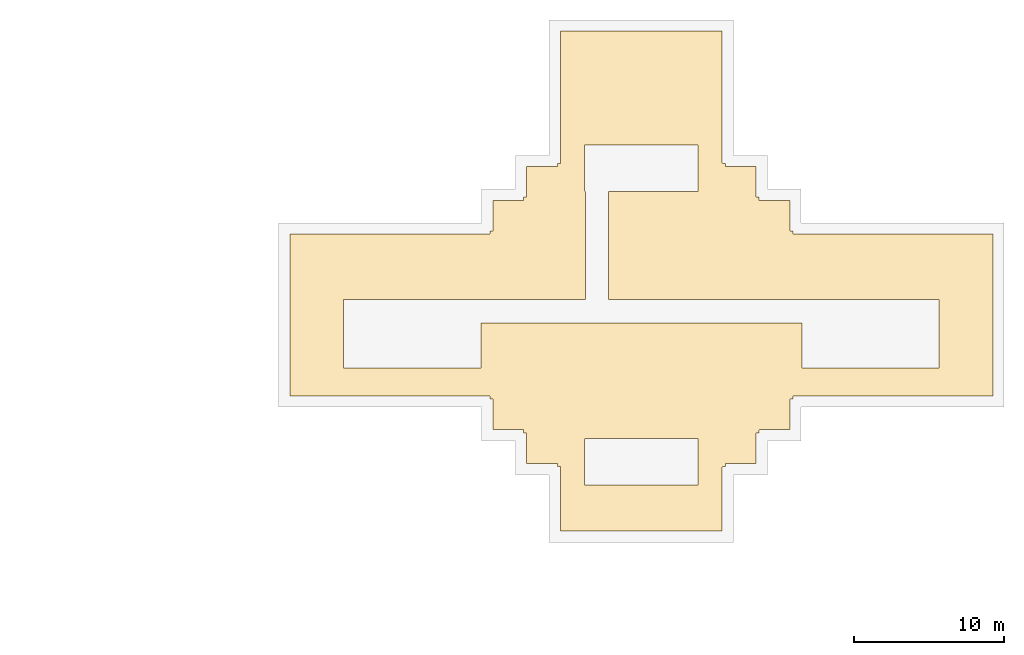
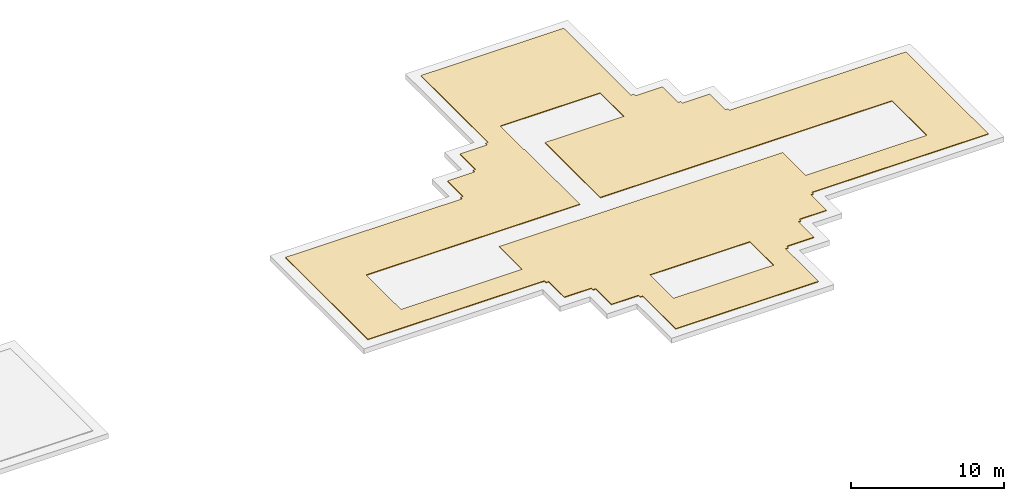
# One storey, part 3 of 3: 1 covering.
"""IFC4 building model written with IfcOpenShell, lengths in metres."""

import ifcopenshell
import ifcopenshell.guid

model = None  # the IFC model being written
_history = None  # IfcOwnerHistory: only IFC2X3 demands one
_inside = {}  # id of a spatial element -> (the spatial element, [elements in it])
_under = {}  # id of a project, library or spatial element -> (it, [spatial elements below it])
_declared = {}  # id of a project -> (the project, [libraries it declares])
_typed = {}  # id of a type object -> (the type object, [elements of that type])
_made_of = {}  # id of a material, layer set ... -> (it, [elements and type objects made of it])


def new_model(schema):
    """Start an empty IFC model of exactly this schema.

    Asked for "IFC4X3", IfcOpenShell would pick the latest addendum, in which some entities
    have other attributes; the version numbers below select the first issue.
    IFC2X3 requires an IfcOwnerHistory on every rooted entity: one is made here for all.
    """
    global model, _history
    if schema == "IFC4X3":
        model = ifcopenshell.file(schema_version=(4, 3, 0, 0))
    else:
        model = ifcopenshell.file(schema=schema)
    _inside.clear()
    _under.clear()
    _declared.clear()
    _typed.clear()
    _made_of.clear()
    _history = None
    if model.schema == "IFC2X3":
        org = make("IfcOrganization", Name="unknown")
        user = make(
            "IfcPersonAndOrganization",
            ThePerson=make("IfcPerson", FamilyName="unknown"),
            TheOrganization=org,
        )
        app = make(
            "IfcApplication",
            ApplicationDeveloper=org,
            Version="unknown",
            ApplicationFullName="unknown",
            ApplicationIdentifier="unknown",
        )
        _history = make(
            "IfcOwnerHistory",
            OwningUser=user,
            OwningApplication=app,
            ChangeAction="ADDED",
            CreationDate=0,
        )
    return model


def make(cls, **values):
    """One entity of the class cls with the attributes given. An attribute that is None is left unset."""
    return model.create_entity(
        cls, **{name: value for name, value in values.items() if value is not None}
    )


def rooted(cls, **values):
    """An entity with a GlobalId (a new one), such as an element, a storey or a relation."""
    return make(cls, GlobalId=ifcopenshell.guid.new(), OwnerHistory=_history, **values)


def si_unit(unit_type, name, prefix=None):
    """IfcSIUnit, for example si_unit("LENGTHUNIT", "METRE", prefix="MILLI")."""
    return make("IfcSIUnit", UnitType=unit_type, Prefix=prefix, Name=name)


def assignment(units):
    """IfcUnitAssignment: the units of a project."""
    return None if units is None else make("IfcUnitAssignment", Units=units)


def point(xyz):
    """IfcCartesianPoint."""
    return None if xyz is None else make("IfcCartesianPoint", Coordinates=xyz)


def direction(xyz):
    """IfcDirection."""
    return None if xyz is None else make("IfcDirection", DirectionRatios=xyz)


def frame(location, z_axis=None, x_axis=None):
    """IfcAxis2Placement3D, a coordinate frame: its origin and axes. An axis left out is left unset."""
    return make(
        "IfcAxis2Placement3D",
        Location=point(location),
        Axis=direction(z_axis),
        RefDirection=direction(x_axis),
    )


def origin():
    """The frame at (0, 0, 0) with its axes left unset."""
    return frame((0.0, 0.0, 0.0))


def place(relative_to, where):
    """IfcLocalPlacement: puts the frame where relative to a parent placement (None: the world)."""
    return make(
        "IfcLocalPlacement", PlacementRelTo=relative_to, RelativePlacement=where
    )


def context(
    kind, dimensions, precision=None, world=None, true_north=None, identifier=None
):
    """IfcGeometricRepresentationContext, for example the 3D "Model" context."""
    return make(
        "IfcGeometricRepresentationContext",
        ContextIdentifier=identifier,
        ContextType=kind,
        CoordinateSpaceDimension=dimensions,
        Precision=precision,
        WorldCoordinateSystem=world,
        TrueNorth=true_north,
    )


def subcontext(parent, identifier, kind, view, scale=None):
    """IfcGeometricRepresentationSubContext, for example "Body" below "Model"."""
    return make(
        "IfcGeometricRepresentationSubContext",
        ContextIdentifier=identifier,
        ContextType=kind,
        ParentContext=parent,
        TargetScale=scale,
        TargetView=view,
    )


def project(units=None, contexts=None):
    """IfcProject with its units and contexts."""
    return rooted(
        "IfcProject",
        Name="project",
        RepresentationContexts=contexts,
        UnitsInContext=assignment(units),
    )


def spatial(cls, under=None, at=None, **own):
    """A site, building, storey or space (cls), placed at a placement, below another one or the project."""
    s = rooted(cls, ObjectPlacement=at, **own)
    if under is not None:
        _under.setdefault(under.id(), (under, []))[1].append(s)
    return s


def polyline(points):
    """IfcPolyline through the points."""
    return make("IfcPolyline", Points=[point(p) for p in points])


def outline(outer, holes=None, kind="AREA"):
    """IfcArbitraryClosedProfileDef: a profile drawn as a closed curve; with holes, ...WithVoids."""
    if holes is None:
        return make("IfcArbitraryClosedProfileDef", ProfileType=kind, OuterCurve=outer)
    return make(
        "IfcArbitraryProfileDefWithVoids",
        ProfileType=kind,
        OuterCurve=outer,
        InnerCurves=holes,
    )


def extrude(swept, where, along, depth):
    """IfcExtrudedAreaSolid: the profile swept, set in the frame where, extruded along a direction by depth."""
    return make(
        "IfcExtrudedAreaSolid",
        SweptArea=swept,
        Position=where,
        ExtrudedDirection=direction(along),
        Depth=depth,
    )


def shape(context_of_items, identifier, shape_type, items):
    """IfcShapeRepresentation: the items that make up one representation, for example the "Body"."""
    return make(
        "IfcShapeRepresentation",
        ContextOfItems=context_of_items,
        RepresentationIdentifier=identifier,
        RepresentationType=shape_type,
        Items=items,
    )


def material(Name=None, Category=None):
    """IfcMaterial."""
    return make("IfcMaterial", Name=Name, Category=Category)


def layer(
    of_material, thickness, ventilated=None, Name=None, Category=None, Priority=None
):
    """IfcMaterialLayer: one layer of a wall or slab, of a material (None: an air gap)."""
    return make(
        "IfcMaterialLayer",
        Material=of_material,
        LayerThickness=thickness,
        IsVentilated=ventilated,
        Name=Name,
        Category=Category,
        Priority=Priority,
    )


def layer_set(layers, Name=None):
    """IfcMaterialLayerSet."""
    return make("IfcMaterialLayerSet", MaterialLayers=layers, LayerSetName=Name)


def made_of(thing, what):
    """Note that an element or type object is made of a material, layer set ...; save() writes the relation."""
    if what is not None:
        _made_of.setdefault(what.id(), (what, []))[1].append(thing)
    return thing


def type_object(cls, material=None, **own):
    """A type object (cls), such as IfcWallType, which elements share."""
    return made_of(rooted(cls, **own), material)


def element(
    cls,
    number,
    at=None,
    inside=None,
    cuts=None,
    type_object=None,
    material=None,
    context=None,
    identifier="Body",
    shape_type=None,
    held_by="IfcProductDefinitionShape",
    body=None,
    shapes=None,
    **own,
):
    """One element of the class cls, such as IfcWall. Its Tag is "e" and its number.

    at: its placement. inside: the storey or other place that contains it. cuts: it is an
    opening in that element (IfcRelVoidsElement). A single representation is given by context,
    identifier, shape_type and body (its items); several are given by shapes. held_by: the class
    of the entity that holds the representations. save() writes the other relations.
    """
    e = rooted(cls, Tag="e%d" % number, ObjectPlacement=at, **own)
    if body is not None:
        shapes = [shape(context, identifier, shape_type, body)]
    if shapes is not None:
        e.Representation = make(held_by, Representations=shapes)
    if inside is not None:
        _inside.setdefault(inside.id(), (inside, []))[1].append(e)
    if cuts is not None:
        rooted(
            "IfcRelVoidsElement", RelatingBuildingElement=cuts, RelatedOpeningElement=e
        )
    if type_object is not None:
        _typed.setdefault(type_object.id(), (type_object, []))[1].append(e)
    return made_of(e, material)


def aggregate(whole, parts):
    """IfcRelAggregates: a whole, such as a stair, and the parts it consists of."""
    return rooted("IfcRelAggregates", RelatingObject=whole, RelatedObjects=parts)


def save(model, path):
    """Write the relations noted so far, then the file.

    IfcRelAggregates (storeys below a building ...), IfcRelContainedInSpatialStructure (elements
    in a storey), IfcRelDefinesByType, IfcRelAssociatesMaterial and IfcRelDeclares: one each for
    every whole, place, type object, material and project.
    """
    for whole, parts in _under.values():
        aggregate(whole, parts)
    for where, things in _inside.values():
        rooted(
            "IfcRelContainedInSpatialStructure",
            RelatedElements=things,
            RelatingStructure=where,
        )
    for kind, things in _typed.values():
        rooted("IfcRelDefinesByType", RelatedObjects=things, RelatingType=kind)
    for what, things in _made_of.values():
        rooted("IfcRelAssociatesMaterial", RelatedObjects=things, RelatingMaterial=what)
    for by, libraries in _declared.values():
        rooted("IfcRelDeclares", RelatingContext=by, RelatedDefinitions=libraries)
    model.write(path)


model = new_model("IFC4")

# Units and contexts
model_context = context("Model", 3, precision=1e-05, world=origin(), true_north=direction((0.0, 1.0)))
body_context = subcontext(model_context, "Body", "Model", "MODEL_VIEW")
ifc_project = project(units=[si_unit("LENGTHUNIT", "METRE"), si_unit("AREAUNIT", "SQUARE_METRE"), si_unit("VOLUMEUNIT", "CUBIC_METRE"), si_unit("PLANEANGLEUNIT", "RADIAN"), si_unit("MASSUNIT", "GRAM", prefix="KILO")], contexts=[model_context])

# Site, building, storey
site_placement = place(None, origin())
site = spatial("IfcSite", under=ifc_project, at=site_placement, CompositionType="ELEMENT")
building_placement = place(site_placement, origin())
building = spatial("IfcBuilding", under=site, at=building_placement, Name="Shamsa Quay Exchange Towers", CompositionType="ELEMENT")
storey_placement = place(building_placement, frame((0.0, 0.0, 311.199951171875)))
storey = spatial("IfcBuildingStorey", under=building, at=storey_placement, Name="Roof Crown", CompositionType="ELEMENT", Elevation=311.199951171875)

# Covering
ifc_material = material(Name="Bituminous waterproofing membrane with ballast")
ifc_layer = layer(ifc_material, 0.06005859375)
ifc_layer_set = layer_set([ifc_layer], Name="ROOF MEMBRANE 60")
covering_type = type_object("IfcCoveringType", Name="ROOF MEMBRANE 60", PredefinedType="ROOFING", material=ifc_layer_set)
covering_placement = place(storey_placement, frame((0.0, 0.0, 0.400146484375)))
element("IfcCovering", 1, at=covering_placement, inside=storey, type_object=covering_type, Name="Roof membrane T2 1", PredefinedType="ROOFING", context=body_context, shape_type="SweptSolid", body=[
    extrude(outline(polyline([(41.584716796875, -7.6494140625), (41.58447265625, -7.6513671875), (41.58447265625, -7.83935546875), (41.4013671875, -7.83935546875), (41.3994140625, -7.839599609375), (41.3974609375, -7.83984375), (41.3955078125, -7.84033203125), (41.393798828125, -7.841064453125), (41.39208984375, -7.841796875), (41.390380859375, -7.8427734375), (41.388671875, -7.843994140625), (41.38720703125, -7.84521484375), (41.385986328125, -7.8466796875), (41.384765625, -7.848388671875), (41.3837890625, -7.85009765625), (41.3828125, -7.851806640625), (41.38232421875, -7.853759765625), (41.3818359375, -7.85546875), (41.381591796875, -7.857421875), (41.38134765625, -7.859375), (41.38134765625, -9.88134765625), (39.3544921875, -9.88134765625), (39.3525390625, -9.881591796875), (39.3505859375, -9.8818359375), (39.3486328125, -9.88232421875), (39.346923828125, -9.8828125), (39.34521484375, -9.8837890625), (39.343505859375, -9.884765625), (39.341796875, -9.885986328125), (39.34033203125, -9.88720703125), (39.339111328125, -9.888671875), (39.337890625, -9.890380859375), (39.3369140625, -9.89208984375), (39.336181640625, -9.893798828125), (39.33544921875, -9.8955078125), (39.3349609375, -9.8974609375), (39.334716796875, -9.8994140625), (39.33447265625, -9.9013671875), (39.33447265625, -10.08935546875), (39.1513671875, -10.08935546875), (39.1494140625, -10.089599609375), (39.1474609375, -10.08984375), (39.1455078125, -10.09033203125), (39.143798828125, -10.091064453125), (39.14208984375, -10.091796875), (39.140380859375, -10.0927734375), (39.138671875, -10.093994140625), (39.13720703125, -10.09521484375), (39.135986328125, -10.0966796875), (39.134765625, -10.098388671875), (39.1337890625, -10.10009765625), (39.1328125, -10.101806640625), (39.13232421875, -10.103759765625), (39.1318359375, -10.10546875), (39.131591796875, -10.107421875), (39.13134765625, -10.109375), (39.13134765625, -14.38134765625), (34.0205078125, -14.38134765625), (33.4794921875, -14.38134765625), (28.36865234375, -14.38134765625), (28.36865234375, -10.109375), (28.368408203125, -10.107421875), (28.3681640625, -10.10546875), (28.36767578125, -10.103759765625), (28.3671875, -10.101806640625), (28.3662109375, -10.10009765625), (28.365234375, -10.098388671875), (28.364013671875, -10.0966796875), (28.36279296875, -10.09521484375), (28.361328125, -10.093994140625), (28.359619140625, -10.0927734375), (28.35791015625, -10.091796875), (28.356201171875, -10.091064453125), (28.3544921875, -10.09033203125), (28.3525390625, -10.08984375), (28.3505859375, -10.089599609375), (28.3486328125, -10.08935546875), (28.16552734375, -10.08935546875), (28.16552734375, -9.9013671875), (28.165283203125, -9.8994140625), (28.1650390625, -9.8974609375), (28.16455078125, -9.8955078125), (28.163818359375, -9.893798828125), (28.1630859375, -9.89208984375), (28.162109375, -9.890380859375), (28.160888671875, -9.888671875), (28.15966796875, -9.88720703125), (28.158203125, -9.885986328125), (28.156494140625, -9.884765625), (28.15478515625, -9.8837890625), (28.153076171875, -9.8828125), (28.1513671875, -9.88232421875), (28.1494140625, -9.8818359375), (28.1474609375, -9.881591796875), (28.1455078125, -9.88134765625), (26.11865234375, -9.88134765625), (26.11865234375, -7.859375), (26.118408203125, -7.857421875), (26.1181640625, -7.85546875), (26.11767578125, -7.853759765625), (26.1171875, -7.851806640625), (26.1162109375, -7.85009765625), (26.115234375, -7.848388671875), (26.114013671875, -7.8466796875), (26.11279296875, -7.84521484375), (26.111328125, -7.843994140625), (26.109619140625, -7.8427734375), (26.10791015625, -7.841796875), (26.106201171875, -7.841064453125), (26.1044921875, -7.84033203125), (26.1025390625, -7.83984375), (26.1005859375, -7.839599609375), (26.0986328125, -7.83935546875), (25.91552734375, -7.83935546875), (25.91552734375, -7.6513671875), (25.915283203125, -7.6494140625), (25.9150390625, -7.6474609375), (25.91455078125, -7.6455078125), (25.913818359375, -7.643798828125), (25.9130859375, -7.64208984375), (25.912109375, -7.640380859375), (25.910888671875, -7.638671875), (25.90966796875, -7.63720703125), (25.908203125, -7.635986328125), (25.906494140625, -7.634765625), (25.90478515625, -7.6337890625), (25.903076171875, -7.6328125), (25.9013671875, -7.63232421875), (25.8994140625, -7.6318359375), (25.8974609375, -7.631591796875), (25.8955078125, -7.63134765625), (23.86865234375, -7.63134765625), (23.86865234375, -5.609375), (23.868408203125, -5.607421875), (23.8681640625, -5.60546875), (23.86767578125, -5.603759765625), (23.8671875, -5.601806640625), (23.8662109375, -5.60009765625), (23.865234375, -5.598388671875), (23.864013671875, -5.5966796875), (23.86279296875, -5.59521484375), (23.861328125, -5.593994140625), (23.859619140625, -5.5927734375), (23.85791015625, -5.591796875), (23.856201171875, -5.591064453125), (23.8544921875, -5.59033203125), (23.8525390625, -5.58984375), (23.8505859375, -5.589599609375), (23.8486328125, -5.58935546875), (23.66552734375, -5.58935546875), (23.66552734375, -5.4013671875), (23.665283203125, -5.3994140625), (23.6650390625, -5.3974609375), (23.66455078125, -5.3955078125), (23.663818359375, -5.393798828125), (23.6630859375, -5.39208984375), (23.662109375, -5.390380859375), (23.660888671875, -5.388671875), (23.65966796875, -5.38720703125), (23.658203125, -5.385986328125), (23.656494140625, -5.384765625), (23.65478515625, -5.3837890625), (23.653076171875, -5.3828125), (23.6513671875, -5.38232421875), (23.6494140625, -5.3818359375), (23.6474609375, -5.381591796875), (23.6455078125, -5.38134765625), (16.8955078125, -5.38134765625), (16.3544921875, -5.38134765625), (10.36865234375, -5.38134765625), (10.36865234375, -0.265625), (10.36865234375, 0.265625), (10.36865234375, 5.38134765625), (16.3544921875, 5.38134765625), (16.8955078125, 5.38134765625), (23.6455078125, 5.38134765625), (23.6474609375, 5.381591796875), (23.6494140625, 5.3818359375), (23.6513671875, 5.38232421875), (23.653076171875, 5.3828125), (23.65478515625, 5.3837890625), (23.656494140625, 5.384765625), (23.658203125, 5.385986328125), (23.65966796875, 5.38720703125), (23.660888671875, 5.388671875), (23.662109375, 5.390380859375), (23.6630859375, 5.39208984375), (23.663818359375, 5.393798828125), (23.66455078125, 5.3955078125), (23.6650390625, 5.3974609375), (23.665283203125, 5.3994140625), (23.66552734375, 5.4013671875), (23.66552734375, 5.58935546875), (23.8486328125, 5.58935546875), (23.8505859375, 5.589599609375), (23.8525390625, 5.58984375), (23.8544921875, 5.59033203125), (23.856201171875, 5.591064453125), (23.85791015625, 5.591796875), (23.859619140625, 5.5927734375), (23.861328125, 5.593994140625), (23.86279296875, 5.59521484375), (23.864013671875, 5.5966796875), (23.865234375, 5.598388671875), (23.8662109375, 5.60009765625), (23.8671875, 5.601806640625), (23.86767578125, 5.603759765625), (23.8681640625, 5.60546875), (23.868408203125, 5.607421875), (23.86865234375, 5.609375), (23.86865234375, 7.63134765625), (25.8955078125, 7.63134765625), (25.8974609375, 7.631591796875), (25.8994140625, 7.6318359375), (25.9013671875, 7.63232421875), (25.903076171875, 7.6328125), (25.90478515625, 7.6337890625), (25.906494140625, 7.634765625), (25.908203125, 7.635986328125), (25.90966796875, 7.63720703125), (25.910888671875, 7.638671875), (25.912109375, 7.640380859375), (25.9130859375, 7.64208984375), (25.913818359375, 7.643798828125), (25.91455078125, 7.6455078125), (25.9150390625, 7.6474609375), (25.915283203125, 7.6494140625), (25.91552734375, 7.6513671875), (25.91552734375, 7.83935546875), (26.0986328125, 7.83935546875), (26.1005859375, 7.839599609375), (26.1025390625, 7.83984375), (26.1044921875, 7.84033203125), (26.106201171875, 7.841064453125), (26.10791015625, 7.841796875), (26.109619140625, 7.8427734375), (26.111328125, 7.843994140625), (26.11279296875, 7.84521484375), (26.114013671875, 7.8466796875), (26.115234375, 7.848388671875), (26.1162109375, 7.85009765625), (26.1171875, 7.851806640625), (26.11767578125, 7.853759765625), (26.1181640625, 7.85546875), (26.118408203125, 7.857421875), (26.11865234375, 7.859375), (26.11865234375, 9.88134765625), (28.1455078125, 9.88134765625), (28.1474609375, 9.881591796875), (28.1494140625, 9.8818359375), (28.1513671875, 9.88232421875), (28.153076171875, 9.8828125), (28.15478515625, 9.8837890625), (28.156494140625, 9.884765625), (28.158203125, 9.885986328125), (28.15966796875, 9.88720703125), (28.160888671875, 9.888671875), (28.162109375, 9.890380859375), (28.1630859375, 9.89208984375), (28.163818359375, 9.893798828125), (28.16455078125, 9.8955078125), (28.1650390625, 9.8974609375), (28.165283203125, 9.8994140625), (28.16552734375, 9.9013671875), (28.16552734375, 10.08935546875), (28.3486328125, 10.08935546875), (28.3505859375, 10.089599609375), (28.3525390625, 10.08984375), (28.3544921875, 10.09033203125), (28.356201171875, 10.091064453125), (28.35791015625, 10.091796875), (28.359619140625, 10.0927734375), (28.361328125, 10.093994140625), (28.36279296875, 10.09521484375), (28.364013671875, 10.0966796875), (28.365234375, 10.098388671875), (28.3662109375, 10.10009765625), (28.3671875, 10.101806640625), (28.36767578125, 10.103759765625), (28.3681640625, 10.10546875), (28.368408203125, 10.107421875), (28.36865234375, 10.109375), (28.36865234375, 18.88134765625), (33.4794921875, 18.88134765625), (34.0205078125, 18.88134765625), (39.13134765625, 18.88134765625), (39.13134765625, 10.109375), (39.131591796875, 10.107421875), (39.1318359375, 10.10546875), (39.13232421875, 10.103759765625), (39.1328125, 10.101806640625), (39.1337890625, 10.10009765625), (39.134765625, 10.098388671875), (39.135986328125, 10.0966796875), (39.13720703125, 10.09521484375), (39.138671875, 10.093994140625), (39.140380859375, 10.0927734375), (39.14208984375, 10.091796875), (39.143798828125, 10.091064453125), (39.1455078125, 10.09033203125), (39.1474609375, 10.08984375), (39.1494140625, 10.089599609375), (39.1513671875, 10.08935546875), (39.33447265625, 10.08935546875), (39.33447265625, 9.9013671875), (39.334716796875, 9.8994140625), (39.3349609375, 9.8974609375), (39.33544921875, 9.8955078125), (39.336181640625, 9.893798828125), (39.3369140625, 9.89208984375), (39.337890625, 9.890380859375), (39.339111328125, 9.888671875), (39.34033203125, 9.88720703125), (39.341796875, 9.885986328125), (39.343505859375, 9.884765625), (39.34521484375, 9.8837890625), (39.346923828125, 9.8828125), (39.3486328125, 9.88232421875), (39.3505859375, 9.8818359375), (39.3525390625, 9.881591796875), (39.3544921875, 9.88134765625), (41.38134765625, 9.88134765625), (41.38134765625, 7.859375), (41.381591796875, 7.857421875), (41.3818359375, 7.85546875), (41.38232421875, 7.853759765625), (41.3828125, 7.851806640625), (41.3837890625, 7.85009765625), (41.384765625, 7.848388671875), (41.385986328125, 7.8466796875), (41.38720703125, 7.84521484375), (41.388671875, 7.843994140625), (41.390380859375, 7.8427734375), (41.39208984375, 7.841796875), (41.393798828125, 7.841064453125), (41.3955078125, 7.84033203125), (41.3974609375, 7.83984375), (41.3994140625, 7.839599609375), (41.4013671875, 7.83935546875), (41.58447265625, 7.83935546875), (41.58447265625, 7.6513671875), (41.584716796875, 7.6494140625), (41.5849609375, 7.6474609375), (41.58544921875, 7.6455078125), (41.586181640625, 7.643798828125), (41.5869140625, 7.64208984375), (41.587890625, 7.640380859375), (41.589111328125, 7.638671875), (41.59033203125, 7.63720703125), (41.591796875, 7.635986328125), (41.593505859375, 7.634765625), (41.59521484375, 7.6337890625), (41.596923828125, 7.6328125), (41.5986328125, 7.63232421875), (41.6005859375, 7.6318359375), (41.6025390625, 7.631591796875), (41.6044921875, 7.63134765625), (43.63134765625, 7.63134765625), (43.63134765625, 5.609375), (43.631591796875, 5.607421875), (43.6318359375, 5.60546875), (43.63232421875, 5.603759765625), (43.6328125, 5.601806640625), (43.6337890625, 5.60009765625), (43.634765625, 5.598388671875), (43.635986328125, 5.5966796875), (43.63720703125, 5.59521484375), (43.638671875, 5.593994140625), (43.640380859375, 5.5927734375), (43.64208984375, 5.591796875), (43.643798828125, 5.591064453125), (43.6455078125, 5.59033203125), (43.6474609375, 5.58984375), (43.6494140625, 5.589599609375), (43.6513671875, 5.58935546875), (43.83447265625, 5.58935546875), (43.83447265625, 5.4013671875), (43.834716796875, 5.3994140625), (43.8349609375, 5.3974609375), (43.83544921875, 5.3955078125), (43.836181640625, 5.393798828125), (43.8369140625, 5.39208984375), (43.837890625, 5.390380859375), (43.839111328125, 5.388671875), (43.84033203125, 5.38720703125), (43.841796875, 5.385986328125), (43.843505859375, 5.384765625), (43.84521484375, 5.3837890625), (43.846923828125, 5.3828125), (43.8486328125, 5.38232421875), (43.8505859375, 5.3818359375), (43.8525390625, 5.381591796875), (43.8544921875, 5.38134765625), (50.6044921875, 5.38134765625), (51.1455078125, 5.38134765625), (57.13134765625, 5.38134765625), (57.13134765625, 0.265625), (57.13134765625, -0.265625), (57.13134765625, -5.38134765625), (51.1455078125, -5.38134765625), (50.6044921875, -5.38134765625), (43.8544921875, -5.38134765625), (43.8525390625, -5.381591796875), (43.8505859375, -5.3818359375), (43.8486328125, -5.38232421875), (43.846923828125, -5.3828125), (43.84521484375, -5.3837890625), (43.843505859375, -5.384765625), (43.841796875, -5.385986328125), (43.84033203125, -5.38720703125), (43.839111328125, -5.388671875), (43.837890625, -5.390380859375), (43.8369140625, -5.39208984375), (43.836181640625, -5.393798828125), (43.83544921875, -5.3955078125), (43.8349609375, -5.3974609375), (43.834716796875, -5.3994140625), (43.83447265625, -5.4013671875), (43.83447265625, -5.58935546875), (43.6513671875, -5.58935546875), (43.6494140625, -5.589599609375), (43.6474609375, -5.58984375), (43.6455078125, -5.59033203125), (43.643798828125, -5.591064453125), (43.64208984375, -5.591796875), (43.640380859375, -5.5927734375), (43.638671875, -5.593994140625), (43.63720703125, -5.59521484375), (43.635986328125, -5.5966796875), (43.634765625, -5.598388671875), (43.6337890625, -5.60009765625), (43.6328125, -5.601806640625), (43.63232421875, -5.603759765625), (43.6318359375, -5.60546875), (43.631591796875, -5.607421875), (43.63134765625, -5.609375), (43.63134765625, -7.63134765625), (41.6044921875, -7.63134765625), (41.6025390625, -7.631591796875), (41.6005859375, -7.6318359375), (41.5986328125, -7.63232421875), (41.596923828125, -7.6328125), (41.59521484375, -7.6337890625), (41.593505859375, -7.634765625), (41.591796875, -7.635986328125), (41.59033203125, -7.63720703125), (41.589111328125, -7.638671875), (41.587890625, -7.640380859375), (41.5869140625, -7.64208984375), (41.586181640625, -7.643798828125), (41.58544921875, -7.6455078125), (41.5849609375, -7.6474609375), (41.584716796875, -7.6494140625)]), holes=[polyline([(37.505859375, 11.319091796875), (37.50390625, 11.319580078125), (37.501953125, 11.31982421875), (37.5, 11.320068359375), (30.0, 11.320068359375), (29.998046875, 11.31982421875), (29.99609375, 11.319580078125), (29.994140625, 11.319091796875), (29.992431640625, 11.318359375), (29.990478515625, 11.317626953125), (29.98876953125, 11.316650390625), (29.9873046875, 11.3154296875), (29.98583984375, 11.314208984375), (29.984619140625, 11.312744140625), (29.9833984375, 11.31103515625), (29.982421875, 11.309326171875), (29.9814453125, 11.3076171875), (29.98095703125, 11.305908203125), (29.98046875, 11.303955078125), (29.97998046875, 11.302001953125), (29.97998046875, 11.300048828125), (29.97998046875, 8.25), (29.97998046875, 8.248046875), (29.98046875, 8.24609375), (29.98095703125, 8.244140625), (29.9814453125, 8.242431640625), (29.982421875, 8.240478515625), (29.9833984375, 8.23876953125), (29.984619140625, 8.2373046875), (29.98583984375, 8.23583984375), (29.9873046875, 8.234619140625), (29.98876953125, 8.2333984375), (29.990478515625, 8.232421875), (29.992431640625, 8.2314453125), (29.994140625, 8.23095703125), (29.99609375, 8.23046875), (29.998046875, 8.22998046875), (30.0, 8.22998046875), (30.030029296875, 8.22998046875), (30.030029296875, 1.02001953125), (23.050048828125, 1.02001953125), (16.300048828125, 1.02001953125), (13.949951171875, 1.02001953125), (13.947998046875, 1.02001953125), (13.946044921875, 1.01953125), (13.944091796875, 1.01904296875), (13.9423828125, 1.0185546875), (13.940673828125, 1.017578125), (13.93896484375, 1.0166015625), (13.937255859375, 1.015380859375), (13.935791015625, 1.01416015625), (13.9345703125, 1.0126953125), (13.933349609375, 1.01123046875), (13.932373046875, 1.009521484375), (13.931640625, 1.007568359375), (13.930908203125, 1.005859375), (13.930419921875, 1.00390625), (13.93017578125, 1.001953125), (13.929931640625, 1.0), (13.929931640625, -0.5), (13.929931640625, -3.5), (13.93017578125, -3.501953125), (13.930419921875, -3.50390625), (13.930908203125, -3.505859375), (13.931640625, -3.507568359375), (13.932373046875, -3.509521484375), (13.933349609375, -3.51123046875), (13.9345703125, -3.5126953125), (13.935791015625, -3.51416015625), (13.937255859375, -3.515380859375), (13.93896484375, -3.5166015625), (13.940673828125, -3.517578125), (13.9423828125, -3.5185546875), (13.944091796875, -3.51904296875), (13.946044921875, -3.51953125), (13.947998046875, -3.52001953125), (13.949951171875, -3.52001953125), (23.050048828125, -3.52001953125), (23.052001953125, -3.52001953125), (23.053955078125, -3.51953125), (23.055908203125, -3.51904296875), (23.0576171875, -3.5185546875), (23.059326171875, -3.517578125), (23.06103515625, -3.5166015625), (23.062744140625, -3.515380859375), (23.064208984375, -3.51416015625), (23.0654296875, -3.5126953125), (23.066650390625, -3.51123046875), (23.067626953125, -3.509521484375), (23.068359375, -3.507568359375), (23.069091796875, -3.505859375), (23.069580078125, -3.50390625), (23.06982421875, -3.501953125), (23.070068359375, -3.5), (23.070068359375, -0.52001953125), (44.429931640625, -0.52001953125), (44.429931640625, -3.5), (44.43017578125, -3.501953125), (44.430419921875, -3.50390625), (44.430908203125, -3.505859375), (44.431640625, -3.507568359375), (44.432373046875, -3.509521484375), (44.433349609375, -3.51123046875), (44.4345703125, -3.5126953125), (44.435791015625, -3.51416015625), (44.437255859375, -3.515380859375), (44.43896484375, -3.5166015625), (44.440673828125, -3.517578125), (44.4423828125, -3.5185546875), (44.444091796875, -3.51904296875), (44.446044921875, -3.51953125), (44.447998046875, -3.52001953125), (44.449951171875, -3.52001953125), (53.550048828125, -3.52001953125), (53.552001953125, -3.52001953125), (53.553955078125, -3.51953125), (53.555908203125, -3.51904296875), (53.5576171875, -3.5185546875), (53.559326171875, -3.517578125), (53.56103515625, -3.5166015625), (53.562744140625, -3.515380859375), (53.564208984375, -3.51416015625), (53.5654296875, -3.5126953125), (53.566650390625, -3.51123046875), (53.567626953125, -3.509521484375), (53.568359375, -3.507568359375), (53.569091796875, -3.505859375), (53.569580078125, -3.50390625), (53.56982421875, -3.501953125), (53.570068359375, -3.5), (53.570068359375, -0.5), (53.570068359375, 1.0), (53.56982421875, 1.001953125), (53.569580078125, 1.00390625), (53.569091796875, 1.005859375), (53.568359375, 1.007568359375), (53.567626953125, 1.009521484375), (53.566650390625, 1.01123046875), (53.5654296875, 1.0126953125), (53.564208984375, 1.01416015625), (53.562744140625, 1.015380859375), (53.56103515625, 1.0166015625), (53.559326171875, 1.017578125), (53.5576171875, 1.0185546875), (53.555908203125, 1.01904296875), (53.553955078125, 1.01953125), (53.552001953125, 1.02001953125), (53.550048828125, 1.02001953125), (51.199951171875, 1.02001953125), (44.449951171875, 1.02001953125), (31.570068359375, 1.02001953125), (31.570068359375, 8.22998046875), (37.5, 8.22998046875), (37.501953125, 8.22998046875), (37.50390625, 8.23046875), (37.505859375, 8.23095703125), (37.507568359375, 8.2314453125), (37.509521484375, 8.232421875), (37.51123046875, 8.2333984375), (37.5126953125, 8.234619140625), (37.51416015625, 8.23583984375), (37.515380859375, 8.2373046875), (37.5166015625, 8.23876953125), (37.517578125, 8.240478515625), (37.5185546875, 8.242431640625), (37.51904296875, 8.244140625), (37.51953125, 8.24609375), (37.52001953125, 8.248046875), (37.52001953125, 8.25), (37.52001953125, 11.300048828125), (37.52001953125, 11.302001953125), (37.51953125, 11.303955078125), (37.51904296875, 11.305908203125), (37.5185546875, 11.3076171875), (37.517578125, 11.309326171875), (37.5166015625, 11.31103515625), (37.515380859375, 11.312744140625), (37.51416015625, 11.314208984375), (37.5126953125, 11.3154296875), (37.51123046875, 11.316650390625), (37.509521484375, 11.317626953125), (37.507568359375, 11.318359375), (37.505859375, 11.319091796875)]), polyline([(37.507568359375, -8.2314453125), (37.505859375, -8.23095703125), (37.50390625, -8.23046875), (37.501953125, -8.22998046875), (37.5, -8.22998046875), (30.0, -8.22998046875), (29.998046875, -8.22998046875), (29.99609375, -8.23046875), (29.994140625, -8.23095703125), (29.992431640625, -8.2314453125), (29.990478515625, -8.232421875), (29.98876953125, -8.2333984375), (29.9873046875, -8.234619140625), (29.98583984375, -8.23583984375), (29.984619140625, -8.2373046875), (29.9833984375, -8.23876953125), (29.982421875, -8.240478515625), (29.9814453125, -8.242431640625), (29.98095703125, -8.244140625), (29.98046875, -8.24609375), (29.97998046875, -8.248046875), (29.97998046875, -8.25), (29.97998046875, -11.300048828125), (29.97998046875, -11.302001953125), (29.98046875, -11.303955078125), (29.98095703125, -11.305908203125), (29.9814453125, -11.3076171875), (29.982421875, -11.309326171875), (29.9833984375, -11.31103515625), (29.984619140625, -11.312744140625), (29.98583984375, -11.314208984375), (29.9873046875, -11.3154296875), (29.98876953125, -11.316650390625), (29.990478515625, -11.317626953125), (29.992431640625, -11.318359375), (29.994140625, -11.319091796875), (29.99609375, -11.319580078125), (29.998046875, -11.31982421875), (30.0, -11.320068359375), (37.5, -11.320068359375), (37.501953125, -11.31982421875), (37.50390625, -11.319580078125), (37.505859375, -11.319091796875), (37.507568359375, -11.318359375), (37.509521484375, -11.317626953125), (37.51123046875, -11.316650390625), (37.5126953125, -11.3154296875), (37.51416015625, -11.314208984375), (37.515380859375, -11.312744140625), (37.5166015625, -11.31103515625), (37.517578125, -11.309326171875), (37.5185546875, -11.3076171875), (37.51904296875, -11.305908203125), (37.51953125, -11.303955078125), (37.52001953125, -11.302001953125), (37.52001953125, -11.300048828125), (37.52001953125, -8.25), (37.52001953125, -8.248046875), (37.51953125, -8.24609375), (37.51904296875, -8.244140625), (37.5185546875, -8.242431640625), (37.517578125, -8.240478515625), (37.5166015625, -8.23876953125), (37.515380859375, -8.2373046875), (37.51416015625, -8.23583984375), (37.5126953125, -8.234619140625), (37.51123046875, -8.2333984375), (37.509521484375, -8.232421875), (37.507568359375, -8.2314453125)])]), origin(), (0.0, 0.0, 1.0), 0.059814453125),
])

save(model, "model.ifc")
